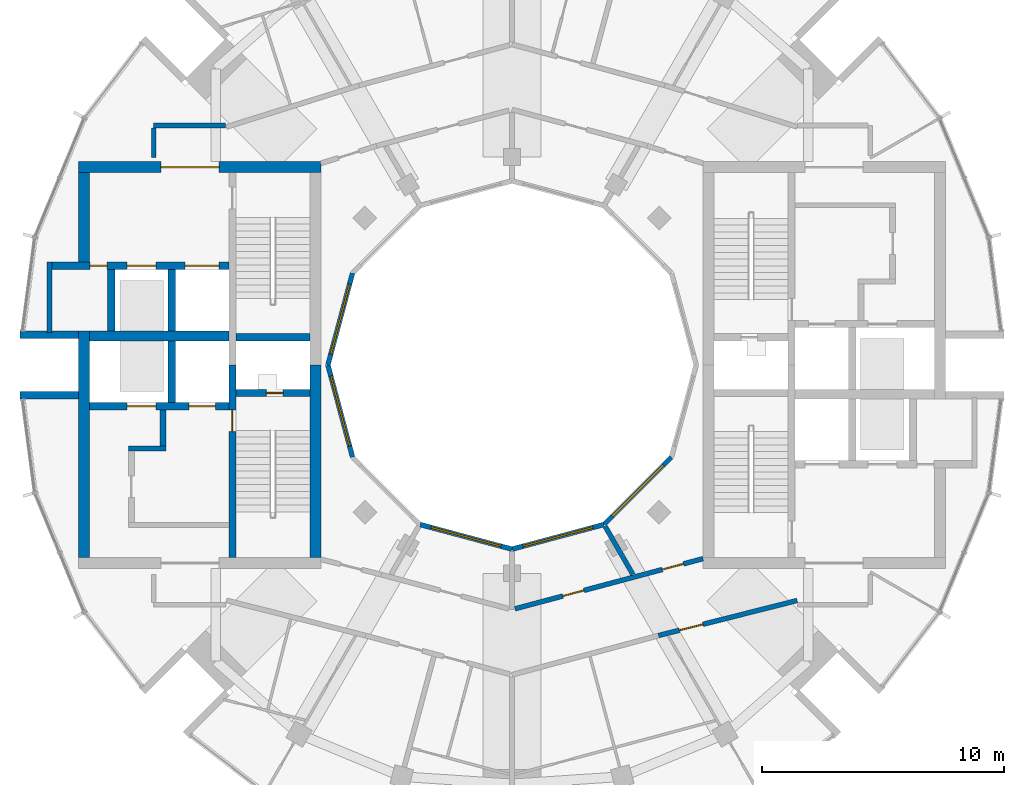
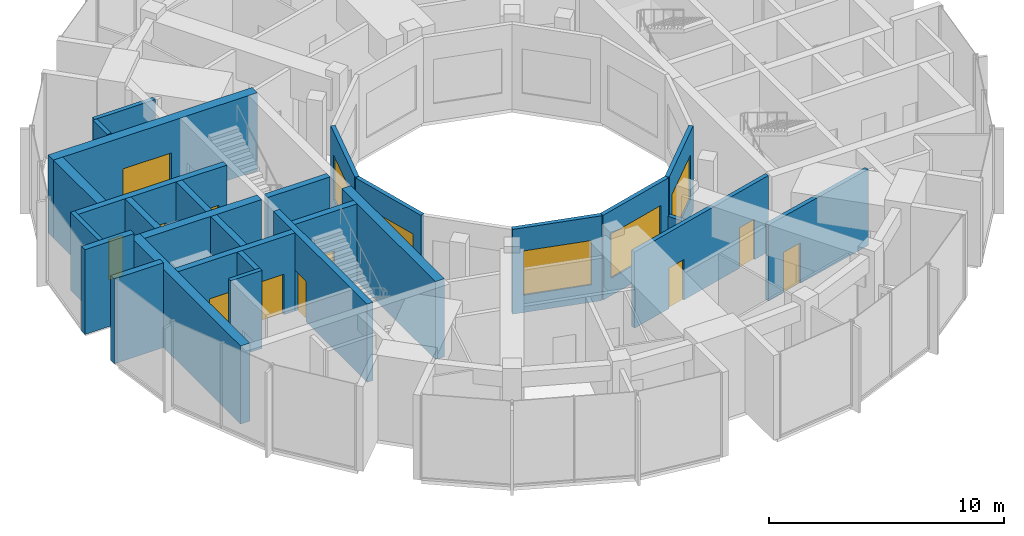
# One storey, part 8 of 13: 28 walls, 11 doors, 5 windows, 16 openings.
"""IFC4 building model written with IfcOpenShell, lengths in metres."""

from ifc_helpers import new_model, si_unit, direction, frame, frame_2d, origin, place, context, subcontext, project, spatial, rectangle, extrude, material, layer, layer_set, type_object, element, fill, save


model = new_model("IFC4")

# Units and contexts
model_context = context("Model", 3, precision=1e-05, world=origin(), true_north=direction((0.0, 1.0)))
body_context = subcontext(model_context, "Body", "Model", "MODEL_VIEW")
ifc_project = project(units=[si_unit("LENGTHUNIT", "METRE"), si_unit("AREAUNIT", "SQUARE_METRE"), si_unit("VOLUMEUNIT", "CUBIC_METRE"), si_unit("PLANEANGLEUNIT", "RADIAN"), si_unit("MASSUNIT", "GRAM", prefix="KILO")], contexts=[model_context])

# Site, building, storey
site_placement = place(None, origin())
site = spatial("IfcSite", under=ifc_project, at=site_placement, CompositionType="ELEMENT")
building_placement = place(site_placement, origin())
building = spatial("IfcBuilding", under=site, at=building_placement, Name="Torre Brocal", CompositionType="ELEMENT")
storey_placement = place(building_placement, frame((0.0, 0.0, 323.699951171875)))
storey = spatial("IfcBuildingStorey", under=building, at=storey_placement, Name="L74", CompositionType="ELEMENT", Elevation=323.699951171875)

# Walls
ifc_material_1 = material(Name="Masonry block", Category="masonry")
ifc_layer_1 = layer(ifc_material_1, 0.199951171875)
ifc_layer_set_1 = layer_set([ifc_layer_1], Name="Masonry block")
wall_type_1 = type_object("IfcWallType", Name="CORE PARTITION 200 UNDER 350 SLAB", PredefinedType="PARTITIONING", material=ifc_layer_set_1)
wall_1_placement = place(storey_placement, frame((60.89990234375, 79.25, 0.0), z_axis=(0.0, 0.0, 1.0), x_axis=(0.0, -1.0, 0.0)))
element("IfcWall", 1, at=wall_1_placement, inside=storey, type_object=wall_type_1, Name="Wall CP200-S350", PredefinedType="PARTITIONING", context=body_context, shape_type="SweptSolid", body=[
    extrude(rectangle(XDim=2.89990234375, YDim=0.199951171875, at=frame_2d((1.449951171875, 0.0))), origin(), (0.0, 0.0, 1.0), 4.050048828125),
])
ifc_material_2 = material(Name="Concrete C50", Category="concrete")
ifc_layer_2 = layer(ifc_material_2, 0.199951171875)
ifc_layer_set_2 = layer_set([ifc_layer_2], Name="Concrete C50")
wall_type_2 = type_object("IfcWallType", Name="CORE WALL 200 C50 UNDER 350 SLAB", PredefinedType="SHEAR", material=ifc_layer_set_2)
wall_2_placement = place(storey_placement, frame((65.699951171875, 71.550048828125, 0.0), z_axis=(0.0, 0.0, 1.0), x_axis=(-1.0, 0.0, 0.0)))
element("IfcWall", 2, at=wall_2_placement, inside=storey, type_object=wall_type_2, Name="Wall CW200-50-S350", PredefinedType="SHEAR", context=body_context, shape_type="SweptSolid", body=[
    extrude(rectangle(XDim=1.550048828125, YDim=0.199951171875, at=frame_2d((0.77490234375, 0.0))), origin(), (0.0, 0.0, 1.0), 4.050048828125),
])
ifc_material_3 = material(Name="Concrete C50", Category="concrete")
ifc_layer_3 = layer(ifc_material_3, 0.25)
ifc_layer_set_3 = layer_set([ifc_layer_3], Name="Concrete C50")
wall_type_3 = type_object("IfcWallType", Name="CORE WALL 250 C50 UNDER 350 SLAB", PredefinedType="SHEAR", material=ifc_layer_set_3)
wall_3_placement = place(storey_placement, frame((65.574951171875, 73.14990234375, 0.0), z_axis=(0.0, 0.0, 1.0), x_axis=(0.0, -1.0, 0.0)))
element("IfcWall", 3, at=wall_3_placement, inside=storey, type_object=wall_type_3, Name="Wall CW250-50-S350", PredefinedType="SHEAR", context=body_context, shape_type="SweptSolid", body=[
    extrude(rectangle(XDim=1.5, YDim=0.25, at=frame_2d((0.75, 0.0))), origin(), (0.0, 0.0, 1.0), 4.050048828125),
])

# Wall, opening, door
ifc_material_4 = material(Name="Concrete C50", Category="concrete")
ifc_layer_4 = layer(ifc_material_4, 0.300048828125)
ifc_layer_set_4 = layer_set([ifc_layer_4], Name="Concrete C50")
wall_type_4 = type_object("IfcWallType", Name="CORE WALL 300 C50 UNDER 350 SLAB", PredefinedType="SHEAR", material=ifc_layer_set_4)
wall_4_placement = place(storey_placement, frame((68.449951171875, 75.0, 0.0), z_axis=(0.0, 0.0, 1.0), x_axis=(0.0, -1.0, 0.0)))
wall_4 = element("IfcWall", 4, at=wall_4_placement, inside=storey, type_object=wall_type_4, Name="Wall CW300-50-S350", PredefinedType="SHEAR", context=body_context, shape_type="SweptSolid", body=[
    extrude(rectangle(XDim=7.949951171875, YDim=0.300048828125, at=frame_2d((3.97509765625, 0.0))), origin(), (0.0, 0.0, 1.0), 4.050048828125),
])
opening_1_placement = place(wall_4_placement, frame((1.85009765625, 0.0, 0.0)))
opening_1 = element("IfcOpeningElement", 5, at=opening_1_placement, cuts=wall_4, Name="Opening W-D02", PredefinedType="OPENING", context=body_context, shape_type="SweptSolid", body=[
    extrude(rectangle(XDim=0.89990234375, YDim=2.10009765625, at=frame_2d((0.449951171875, 1.050048828125))), frame((0.0, 0.159912109375, 0.0), z_axis=(0.0, -1.0, 0.0), x_axis=(1.0, 0.0, 0.0)), (0.0, 0.0, 1.0), 0.320068359375),
])
ifc_material_5 = material(Name="Steel A653", Category="steel")
door_type_1 = type_object("IfcDoorType", Name="STAIR DOOR FD120 900X2100", OperationType="SINGLE_SWING_RIGHT", PredefinedType="DOOR", material=ifc_material_5)
door_1_placement = place(opening_1_placement, origin())
door_1 = element("IfcDoor", 6, at=door_1_placement, inside=storey, type_object=door_type_1, Name="Door W-D02", OperationType="SINGLE_SWING_LEFT", OverallHeight=2.10009765625, OverallWidth=0.89990234375, PredefinedType="DOOR", context=body_context, shape_type="SweptSolid", body=[
    extrude(rectangle(XDim=0.89990234375, YDim=2.10009765625, at=frame_2d((0.449951171875, 1.050048828125))), frame((0.0, 0.02490234375, 0.0), z_axis=(0.0, -1.0, 0.0), x_axis=(1.0, 0.0, 0.0)), (0.0, 0.0, 1.0), 0.050048828125),
])
fill(opening_1, door_1)

wall_5_placement = place(storey_placement, frame((71.64990234375, 73.85009765625, 0.0), z_axis=(0.0, 0.0, 1.0), x_axis=(-1.0, 0.0, 0.0)))
wall_5 = element("IfcWall", 7, at=wall_5_placement, inside=storey, type_object=wall_type_4, Name="Wall CW300-50-S350", PredefinedType="SHEAR", context=body_context, shape_type="SweptSolid", body=[
    extrude(rectangle(XDim=3.0498046875, YDim=0.300048828125, at=frame_2d((1.52490234375, 0.0))), origin(), (0.0, 0.0, 1.0), 4.050048828125),
])
opening_2_placement = place(wall_5_placement, frame((1.10009765625, 0.0, 0.0)))
opening_2 = element("IfcOpeningElement", 8, at=opening_2_placement, cuts=wall_5, Name="Opening W-D01", PredefinedType="OPENING", context=body_context, shape_type="SweptSolid", body=[
    extrude(rectangle(XDim=0.699951171875, YDim=2.0, at=frame_2d((0.35009765625, 1.0))), frame((0.0, 0.159912109375, 0.0), z_axis=(0.0, -1.0, 0.0), x_axis=(1.0, 0.0, 0.0)), (0.0, 0.0, 1.0), 0.320068359375),
])
ifc_material_6 = material(Name="Steel A653", Category="steel")
door_type_2 = type_object("IfcDoorType", Name="RISER DOOR FD120 700X2000", OperationType="SINGLE_SWING_LEFT", PredefinedType="DOOR", material=ifc_material_6)
door_2_placement = place(opening_2_placement, frame((0.699951171875, 0.0, 0.0), z_axis=(0.0, 0.0, 1.0), x_axis=(-1.0, 0.0, 0.0)))
door_2 = element("IfcDoor", 9, at=door_2_placement, inside=storey, type_object=door_type_2, Name="Door W-D01", OperationType="SINGLE_SWING_RIGHT", OverallHeight=2.0, OverallWidth=0.699951171875, PredefinedType="DOOR", context=body_context, shape_type="SweptSolid", body=[
    extrude(rectangle(XDim=0.699951171875, YDim=2.0, at=frame_2d((0.35009765625, 1.0))), frame((0.0, 0.02490234375, 0.0), z_axis=(0.0, -1.0, 0.0), x_axis=(1.0, 0.0, 0.0)), (0.0, 0.0, 1.0), 0.050048828125),
])
fill(opening_2, door_2)

# Wall
wall_6_placement = place(storey_placement, frame((71.64990234375, 76.14990234375, 0.0), z_axis=(0.0, 0.0, 1.0), x_axis=(-1.0, 0.0, 0.0)))
element("IfcWall", 10, at=wall_6_placement, inside=storey, type_object=wall_type_4, Name="Wall CW300-50-S350", PredefinedType="SHEAR", context=body_context, shape_type="SweptSolid", body=[
    extrude(rectangle(XDim=3.0498046875, YDim=0.300048828125, at=frame_2d((1.52490234375, 0.0))), origin(), (0.0, 0.0, 1.0), 4.050048828125),
])

# Wall, openings, doors
wall_7_placement = place(storey_placement, frame((68.300048828125, 73.300048828125, 0.0), z_axis=(0.0, 0.0, 1.0), x_axis=(-1.0, 0.0, 0.0)))
wall_7 = element("IfcWall", 11, at=wall_7_placement, inside=storey, type_object=wall_type_4, Name="Wall CW300-50-S350", PredefinedType="SHEAR", context=body_context, shape_type="SweptSolid", body=[
    extrude(rectangle(XDim=5.75, YDim=0.300048828125, at=frame_2d((2.875, 0.0))), origin(), (0.0, 0.0, 1.0), 4.050048828125),
])
opening_3_placement = place(wall_7_placement, frame((0.550048828125, 0.0, 0.0)))
opening_3 = element("IfcOpeningElement", 12, at=opening_3_placement, cuts=wall_7, Name="Opening LD", PredefinedType="OPENING", context=body_context, shape_type="SweptSolid", body=[
    extrude(rectangle(XDim=1.10009765625, YDim=2.10009765625, at=frame_2d((0.550048828125, 1.050048828125))), frame((0.0, 0.159912109375, 0.0), z_axis=(0.0, -1.0, 0.0), x_axis=(1.0, 0.0, 0.0)), (0.0, 0.0, 1.0), 0.320068359375),
])
opening_4_placement = place(wall_7_placement, frame((3.0, 0.0, 0.0)))
opening_4 = element("IfcOpeningElement", 13, at=opening_4_placement, cuts=wall_7, Name="Opening LD12", PredefinedType="OPENING", context=body_context, shape_type="SweptSolid", body=[
    extrude(rectangle(XDim=1.199951171875, YDim=2.10009765625, at=frame_2d((0.60009765625, 1.050048828125))), frame((0.0, 0.159912109375, 0.0), z_axis=(0.0, -1.0, 0.0), x_axis=(1.0, 0.0, 0.0)), (0.0, 0.0, 1.0), 0.320068359375),
])
ifc_material_7 = material(Name="Stainless steel AISI 316", Category="steel")
door_type_3 = type_object("IfcDoorType", Name="LIFT LANDING DOOR 1100X2100", OperationType="DOUBLE_DOOR_SLIDING", PredefinedType="DOOR", material=ifc_material_7)
door_3_placement = place(opening_3_placement, origin())
door_3 = element("IfcDoor", 14, at=door_3_placement, inside=storey, type_object=door_type_3, Name="Door LD", OperationType="DOUBLE_DOOR_SLIDING", OverallHeight=2.10009765625, OverallWidth=1.10009765625, PredefinedType="DOOR", context=body_context, shape_type="SweptSolid", body=[
    extrude(rectangle(XDim=1.10009765625, YDim=2.10009765625, at=frame_2d((0.550048828125, 1.050048828125))), frame((0.0, 0.02490234375, 0.0), z_axis=(0.0, -1.0, 0.0), x_axis=(1.0, 0.0, 0.0)), (0.0, 0.0, 1.0), 0.050048828125),
])
fill(opening_3, door_3)
ifc_material_8 = material(Name="Stainless steel AISI 316", Category="steel")
door_type_4 = type_object("IfcDoorType", Name="LIFT LANDING DOOR 1200X2100", OperationType="DOUBLE_DOOR_SLIDING", PredefinedType="DOOR", material=ifc_material_8)
door_4_placement = place(opening_4_placement, origin())
door_4 = element("IfcDoor", 15, at=door_4_placement, inside=storey, type_object=door_type_4, Name="Door LD12", OperationType="DOUBLE_DOOR_SLIDING", OverallHeight=2.10009765625, OverallWidth=1.199951171875, PredefinedType="DOOR", context=body_context, shape_type="SweptSolid", body=[
    extrude(rectangle(XDim=1.199951171875, YDim=2.10009765625, at=frame_2d((0.60009765625, 1.050048828125))), frame((0.0, 0.02490234375, 0.0), z_axis=(0.0, -1.0, 0.0), x_axis=(1.0, 0.0, 0.0)), (0.0, 0.0, 1.0), 0.050048828125),
])
fill(opening_4, door_4)

wall_8_placement = place(storey_placement, frame((68.300048828125, 79.10009765625, 0.0), z_axis=(0.0, 0.0, 1.0), x_axis=(-1.0, 0.0, 0.0)))
wall_8 = element("IfcWall", 16, at=wall_8_placement, inside=storey, type_object=wall_type_4, Name="Wall CW300-50-S350", PredefinedType="SHEAR", context=body_context, shape_type="SweptSolid", body=[
    extrude(rectangle(XDim=7.300048828125, YDim=0.300048828125, at=frame_2d((3.64990234375, 0.0))), origin(), (0.0, 0.0, 1.0), 4.050048828125),
])
opening_5_placement = place(wall_8_placement, frame((0.39990234375, 0.0, 0.0)))
opening_5 = element("IfcOpeningElement", 17, at=opening_5_placement, cuts=wall_8, Name="Opening LD14", PredefinedType="OPENING", context=body_context, shape_type="SweptSolid", body=[
    extrude(rectangle(XDim=1.39990234375, YDim=2.10009765625, at=frame_2d((0.699951171875, 1.050048828125))), frame((0.0, 0.159912109375, 0.0), z_axis=(0.0, -1.0, 0.0), x_axis=(1.0, 0.0, 0.0)), (0.0, 0.0, 1.0), 0.320068359375),
])
opening_6_placement = place(wall_8_placement, frame((3.0, 0.0, 0.0)))
opening_6 = element("IfcOpeningElement", 18, at=opening_6_placement, cuts=wall_8, Name="Opening LD12", PredefinedType="OPENING", context=body_context, shape_type="SweptSolid", body=[
    extrude(rectangle(XDim=1.199951171875, YDim=2.10009765625, at=frame_2d((0.60009765625, 1.050048828125))), frame((0.0, 0.159912109375, 0.0), z_axis=(0.0, -1.0, 0.0), x_axis=(1.0, 0.0, 0.0)), (0.0, 0.0, 1.0), 0.320068359375),
])
opening_7_placement = place(wall_8_placement, frame((5.02490234375, 0.0, 0.0)))
opening_7 = element("IfcOpeningElement", 19, at=opening_7_placement, cuts=wall_8, Name="Opening W-D17", PredefinedType="OPENING", context=body_context, shape_type="SweptSolid", body=[
    extrude(rectangle(XDim=0.699951171875, YDim=2.10009765625, at=frame_2d((0.35009765625, 1.050048828125))), frame((0.0, 0.159912109375, 0.0), z_axis=(0.0, -1.0, 0.0), x_axis=(1.0, 0.0, 0.0)), (0.0, 0.0, 1.0), 0.320068359375),
])
door_5_placement = place(opening_6_placement, origin())
door_5 = element("IfcDoor", 20, at=door_5_placement, inside=storey, type_object=door_type_4, Name="Door LD12", OperationType="DOUBLE_DOOR_SLIDING", OverallHeight=2.10009765625, OverallWidth=1.199951171875, PredefinedType="DOOR", context=body_context, shape_type="SweptSolid", body=[
    extrude(rectangle(XDim=1.199951171875, YDim=2.10009765625, at=frame_2d((0.60009765625, 1.050048828125))), frame((0.0, 0.02490234375, 0.0), z_axis=(0.0, -1.0, 0.0), x_axis=(1.0, 0.0, 0.0)), (0.0, 0.0, 1.0), 0.050048828125),
])
fill(opening_6, door_5)
ifc_material_9 = material(Name="Stainless steel AISI 316", Category="steel")
door_type_5 = type_object("IfcDoorType", Name="LIFT LANDING DOOR 1400X2100", OperationType="DOUBLE_DOOR_SLIDING", PredefinedType="DOOR", material=ifc_material_9)
door_6_placement = place(opening_5_placement, origin())
door_6 = element("IfcDoor", 21, at=door_6_placement, inside=storey, type_object=door_type_5, Name="Door LD14", OperationType="DOUBLE_DOOR_SLIDING", OverallHeight=2.10009765625, OverallWidth=1.39990234375, PredefinedType="DOOR", context=body_context, shape_type="SweptSolid", body=[
    extrude(rectangle(XDim=1.39990234375, YDim=2.10009765625, at=frame_2d((0.699951171875, 1.050048828125))), frame((0.0, 0.02490234375, 0.0), z_axis=(0.0, -1.0, 0.0), x_axis=(1.0, 0.0, 0.0)), (0.0, 0.0, 1.0), 0.050048828125),
])
fill(opening_5, door_6)
ifc_material_10 = material(Name="Steel A653", Category="steel")
door_type_6 = type_object("IfcDoorType", Name="ROOM DOOR FD30S 700X2100", OperationType="SINGLE_SWING_LEFT", PredefinedType="DOOR", material=ifc_material_10)
door_7_placement = place(opening_7_placement, origin())
door_7 = element("IfcDoor", 22, at=door_7_placement, inside=storey, type_object=door_type_6, Name="Door W-D17", OperationType="SINGLE_SWING_LEFT", OverallHeight=2.10009765625, OverallWidth=0.699951171875, PredefinedType="DOOR", context=body_context, shape_type="SweptSolid", body=[
    extrude(rectangle(XDim=0.699951171875, YDim=2.10009765625, at=frame_2d((0.35009765625, 1.050048828125))), frame((0.0, 0.02490234375, 0.0), z_axis=(0.0, -1.0, 0.0), x_axis=(1.0, 0.0, 0.0)), (0.0, 0.0, 1.0), 0.050048828125),
])
fill(opening_7, door_7)

# Walls
for number, where, z_axis, x_axis, name in (
    (23, (65.949951171875, 76.0, 0.0), (0.0, 0.0, 1.0), (0.0, -1.0, 0.0), "Wall CW300-50-S350"),
    (24, (65.949951171875, 78.949951171875, 0.0), (0.0, 0.0, 1.0), (0.0, -1.0, 0.0), "Wall CW300-50-S350"),
    (25, (63.449951171875, 78.949951171875, 0.0), (0.0, 0.0, 1.0), (0.0, -1.0, 0.0), "Wall CW300-50-S350"),
):
    element("IfcWall", number, at=place(storey_placement, frame(where, z_axis=z_axis, x_axis=x_axis)), inside=storey, type_object=wall_type_4, Name=name, PredefinedType="SHEAR", context=body_context, shape_type="SweptSolid", body=[
        extrude(rectangle(XDim=2.550048828125, YDim=0.300048828125, at=frame_2d((1.27490234375, 0.0))), origin(), (0.0, 0.0, 1.0), 4.050048828125),
    ])
ifc_material_11 = material(Name="Concrete C50", Category="concrete")
ifc_layer_5 = layer(ifc_material_11, 0.39990234375)
ifc_layer_set_5 = layer_set([ifc_layer_5], Name="Concrete C50")
wall_type_5 = type_object("IfcWallType", Name="CORE WALL 400 C50 UNDER 350 SLAB", PredefinedType="SHEAR", material=ifc_layer_set_5)
wall_9_placement = place(storey_placement, frame((68.300048828125, 76.199951171875, 0.0), z_axis=(0.0, 0.0, 1.0), x_axis=(-1.0, 0.0, 0.0)))
element("IfcWall", 26, at=wall_9_placement, inside=storey, type_object=wall_type_5, Name="Wall CW400-50-S350", PredefinedType="SHEAR", context=body_context, shape_type="SweptSolid", body=[
    extrude(rectangle(XDim=5.75, YDim=0.39990234375, at=frame_2d((2.875, 0.0))), origin(), (0.0, 0.0, 1.0), 4.050048828125),
])

# Wall, opening, door
ifc_material_12 = material(Name="Concrete C50", Category="concrete")
ifc_layer_6 = layer(ifc_material_12, 0.449951171875)
ifc_layer_set_6 = layer_set([ifc_layer_6], Name="Concrete C50")
wall_type_6 = type_object("IfcWallType", Name="CORE WALL 450 C50 UNDER 350 SLAB", PredefinedType="SHEAR", material=ifc_layer_set_6)
wall_10_placement = place(storey_placement, frame((72.10009765625, 83.175048828125, 0.0), z_axis=(0.0, 0.0, 1.0), x_axis=(-1.0, 0.0, 0.0)))
wall_10 = element("IfcWall", 27, at=wall_10_placement, inside=storey, type_object=wall_type_6, Name="Wall CW450-50-S350", PredefinedType="SHEAR", context=body_context, shape_type="SweptSolid", body=[
    extrude(rectangle(XDim=10.0, YDim=0.449951171875, at=frame_2d((5.0, 0.0))), origin(), (0.0, 0.0, 1.0), 4.050048828125),
])
opening_8_placement = place(wall_10_placement, frame((4.199951171875, 0.0, 0.0)))
opening_8 = element("IfcOpeningElement", 28, at=opening_8_placement, cuts=wall_10, Name="Opening W-D24", PredefinedType="OPENING", context=body_context, shape_type="SweptSolid", body=[
    extrude(rectangle(XDim=2.39990234375, YDim=2.39990234375, at=frame_2d((1.199951171875, 1.199951171875))), frame((0.0, 0.23486328125, 0.0), z_axis=(0.0, -1.0, 0.0), x_axis=(1.0, 0.0, 0.0)), (0.0, 0.0, 1.0), 0.469970703125),
])
ifc_material_13 = material(Name="Steel A653", Category="steel")
door_type_7 = type_object("IfcDoorType", Name="DOUBLE FIRE DOOR FD90 2400X2400", OperationType="DOUBLE_DOOR_SINGLE_SWING", PredefinedType="DOOR", material=ifc_material_13)
door_8_placement = place(opening_8_placement, origin())
door_8 = element("IfcDoor", 29, at=door_8_placement, inside=storey, type_object=door_type_7, Name="Door W-D24", OperationType="DOUBLE_DOOR_SINGLE_SWING", OverallHeight=2.39990234375, OverallWidth=2.39990234375, PredefinedType="DOOR", context=body_context, shape_type="SweptSolid", body=[
    extrude(rectangle(XDim=2.39990234375, YDim=2.39990234375, at=frame_2d((1.199951171875, 1.199951171875))), frame((0.0, 0.02490234375, 0.0), z_axis=(0.0, -1.0, 0.0), x_axis=(1.0, 0.0, 0.0)), (0.0, 0.0, 1.0), 0.050048828125),
])
fill(opening_8, door_8)

# Walls
wall_11_placement = place(storey_placement, frame((71.875, 75.0, 0.0), z_axis=(0.0, 0.0, 1.0), x_axis=(0.0, -1.0, 0.0)))
element("IfcWall", 30, at=wall_11_placement, inside=storey, type_object=wall_type_6, Name="Wall CW450-50-S350", PredefinedType="SHEAR", context=body_context, shape_type="SweptSolid", body=[
    extrude(rectangle(XDim=7.949951171875, YDim=0.449951171875, at=frame_2d((3.97509765625, 0.0))), origin(), (0.0, 0.0, 1.0), 4.050048828125),
])
wall_12_placement = place(storey_placement, frame((62.324951171875, 76.39990234375, 0.0), z_axis=(0.0, 0.0, 1.0), x_axis=(0.0, -1.0, 0.0)))
element("IfcWall", 31, at=wall_12_placement, inside=storey, type_object=wall_type_6, Name="Wall CW450-50-S350", PredefinedType="SHEAR", context=body_context, shape_type="SweptSolid", body=[
    extrude(rectangle(XDim=9.349853515625, YDim=0.449951171875, at=frame_2d((4.6748046875, 0.0))), origin(), (0.0, 0.0, 1.0), 4.050048828125),
])
wall_13_placement = place(storey_placement, frame((62.324951171875, 82.949951171875, 0.0), z_axis=(0.0, 0.0, 1.0), x_axis=(0.0, -1.0, 0.0)))
element("IfcWall", 32, at=wall_13_placement, inside=storey, type_object=wall_type_6, Name="Wall CW450-50-S350", PredefinedType="SHEAR", context=body_context, shape_type="SweptSolid", body=[
    extrude(rectangle(XDim=3.699951171875, YDim=0.449951171875, at=frame_2d((1.85009765625, 0.0))), origin(), (0.0, 0.0, 1.0), 4.050048828125),
])
ifc_material_14 = material(Name="Concrete C50", Category="concrete")
ifc_layer_7 = layer(ifc_material_14, 0.300048828125)
ifc_layer_set_7 = layer_set([ifc_layer_7], Name="Concrete C50")
wall_type_7 = type_object("IfcWallType", Name="NOTCH RETURN WALL 300 C50", PredefinedType="NOTDEFINED", material=ifc_layer_set_7)
for number, where, z_axis, x_axis, name in (
    (33, (62.10009765625, 76.25, 0.0), (0.0, 0.0, 1.0), (-1.0, 0.0, 0.0), "NOTCH RETURN WALL"),
    (34, (62.10009765625, 73.75, 0.0), (0.0, 0.0, 1.0), (-1.0, 0.0, 0.0), "NOTCH RETURN WALL"),
):
    element("IfcWall", number, at=place(storey_placement, frame(where, z_axis=z_axis, x_axis=x_axis)), inside=storey, type_object=wall_type_7, Name=name, PredefinedType="NOTDEFINED", context=body_context, shape_type="SweptSolid", body=[
        extrude(rectangle(XDim=2.415771484375, YDim=0.300048828125, at=frame_2d((1.2080078125, 0.0))), origin(), (0.0, 0.0, 1.0), 4.400146484375),
    ])
ifc_material_15 = material(Name="Gypsum board", Category="Gypsum")
ifc_layer_8 = layer(ifc_material_15, 0.199951171875)
ifc_layer_set_8 = layer_set([ifc_layer_8], Name="Gypsum board")
wall_type_8 = type_object("IfcWallType", Name="PARTITION 200 EI60", PredefinedType="PARTITIONING", material=ifc_layer_set_8)
wall_14_placement = place(storey_placement, frame((65.199951171875, 83.576904296875, 0.0), z_axis=(0.0, 0.0, 1.0), x_axis=(0.0, 1.0, 0.0)))
element("IfcWall", 35, at=wall_14_placement, inside=storey, type_object=wall_type_8, Name="GUESTROOM CORRIDOR WALL", PredefinedType="PARTITIONING", context=body_context, shape_type="SweptSolid", body=[
    extrude(rectangle(XDim=1.22314453125, YDim=0.199951171875, at=frame_2d((0.611572265625, 0.0))), origin(), (0.0, 0.0, 1.0), 3.949951171875),
])
wall_15_placement = place(storey_placement, frame((65.199951171875, 84.89990234375, 0.0), z_axis=(0.0, 0.0, 1.0), x_axis=(1.0, 0.0, 0.0)))
element("IfcWall", 36, at=wall_15_placement, inside=storey, type_object=wall_type_8, Name="GUESTROOM CORRIDOR WALL", PredefinedType="PARTITIONING", context=body_context, shape_type="SweptSolid", body=[
    extrude(rectangle(XDim=2.969970703125, YDim=0.199951171875, at=frame_2d((1.48486328125, 0.0))), origin(), (0.0, 0.0, 1.0), 3.949951171875),
])

# Wall, openings, doors
wall_16_placement = place(storey_placement, frame((80.125, 64.931640625, 0.0), z_axis=(0.0, 0.0, 1.0), x_axis=(0.966236955806, 0.257655089674, 0.0)))
wall_16 = element("IfcWall", 37, at=wall_16_placement, inside=storey, type_object=wall_type_8, Name="CORRIDOR WALL", PredefinedType="PARTITIONING", context=body_context, shape_type="SweptSolid", body=[
    extrude(rectangle(XDim=8.0390625, YDim=0.199951171875, at=frame_2d((4.01953125, 0.0))), origin(), (0.0, 0.0, 1.0), 3.949951171875),
])
opening_9_placement = place(wall_16_placement, frame((6.298095703125, 0.0, 0.0)))
opening_9 = element("IfcOpeningElement", 38, at=opening_9_placement, cuts=wall_16, Name="Opening N05-D31", PredefinedType="OPENING", context=body_context, shape_type="SweptSolid", body=[
    extrude(rectangle(XDim=0.89990234375, YDim=2.10009765625, at=frame_2d((0.449951171875, 1.050048828125))), frame((0.0, 0.10986328125, 0.0), z_axis=(0.0, -1.0, 0.0), x_axis=(1.0, 0.0, 0.0)), (0.0, 0.0, 1.0), 0.219970703125),
])
opening_10_placement = place(wall_16_placement, frame((2.044921875, 0.0, 0.0)))
opening_10 = element("IfcOpeningElement", 39, at=opening_10_placement, cuts=wall_16, Name="Opening N05-D32", PredefinedType="OPENING", context=body_context, shape_type="SweptSolid", body=[
    extrude(rectangle(XDim=0.89990234375, YDim=2.10009765625, at=frame_2d((0.449951171875, 1.050048828125))), frame((0.0, 0.10986328125, 0.0), z_axis=(0.0, -1.0, 0.0), x_axis=(1.0, 0.0, 0.0)), (0.0, 0.0, 1.0), 0.219970703125),
])
ifc_material_16 = material(Name="Timber", Category="wood")
door_type_8 = type_object("IfcDoorType", Name="ROOM DOOR 900X2100", OperationType="SINGLE_SWING_LEFT", PredefinedType="DOOR", material=ifc_material_16)
door_9_placement = place(opening_9_placement, origin())
door_9 = element("IfcDoor", 40, at=door_9_placement, inside=storey, type_object=door_type_8, Name="N05-D31", OperationType="SINGLE_SWING_RIGHT", OverallHeight=2.10009765625, OverallWidth=0.89990234375, PredefinedType="DOOR", context=body_context, shape_type="SweptSolid", body=[
    extrude(rectangle(XDim=0.89990234375, YDim=2.10009765625, at=frame_2d((0.449951171875, 1.050048828125))), frame((0.0, 0.02490234375, 0.0), z_axis=(0.0, -1.0, 0.0), x_axis=(1.0, 0.0, 0.0)), (0.0, 0.0, 1.0), 0.050048828125),
])
fill(opening_9, door_9)
door_10_placement = place(opening_10_placement, origin())
door_10 = element("IfcDoor", 41, at=door_10_placement, inside=storey, type_object=door_type_8, Name="N05-D32", OperationType="SINGLE_SWING_RIGHT", OverallHeight=2.10009765625, OverallWidth=0.89990234375, PredefinedType="DOOR", context=body_context, shape_type="SweptSolid", body=[
    extrude(rectangle(XDim=0.89990234375, YDim=2.10009765625, at=frame_2d((0.449951171875, 1.050048828125))), frame((0.0, 0.02490234375, 0.0), z_axis=(0.0, -1.0, 0.0), x_axis=(1.0, 0.0, 0.0)), (0.0, 0.0, 1.0), 0.050048828125),
])
fill(opening_10, door_10)

# Wall, opening, door
wall_17_placement = place(storey_placement, frame((86.052978515625, 63.826171875, 0.0), z_axis=(0.0, 0.0, 1.0), x_axis=(0.969480070232, 0.245170131586, 0.0)))
wall_17 = element("IfcWall", 42, at=wall_17_placement, inside=storey, type_object=wall_type_8, Name="FLAT ENTRANCE WALL", PredefinedType="PARTITIONING", context=body_context, shape_type="SweptSolid", body=[
    extrude(rectangle(XDim=5.906982421875, YDim=0.199951171875, at=frame_2d((2.95361328125, 0.0))), origin(), (0.0, 0.0, 1.0), 3.949951171875),
])
opening_11_placement = place(wall_17_placement, frame((0.889404296875, 0.0, 0.0)))
opening_11 = element("IfcOpeningElement", 43, at=opening_11_placement, cuts=wall_17, Name="Opening N05-D18", PredefinedType="OPENING", context=body_context, shape_type="SweptSolid", body=[
    extrude(rectangle(XDim=1.0, YDim=2.10009765625, at=frame_2d((0.5, 1.050048828125))), frame((0.0, 0.10986328125, 0.0), z_axis=(0.0, -1.0, 0.0), x_axis=(1.0, 0.0, 0.0)), (0.0, 0.0, 1.0), 0.219970703125),
])
ifc_material_17 = material(Name="Timber", Category="wood")
door_type_9 = type_object("IfcDoorType", Name="FLAT ENTRY DOOR FD30S 1000X2100", OperationType="SINGLE_SWING_RIGHT", PredefinedType="DOOR", material=ifc_material_17)
door_11_placement = place(opening_11_placement, frame((1.0, 0.0, 0.0), z_axis=(0.0, 0.0, 1.0), x_axis=(-1.0, 0.0, 0.0)))
door_11 = element("IfcDoor", 44, at=door_11_placement, inside=storey, type_object=door_type_9, Name="N05-D18", OperationType="SINGLE_SWING_RIGHT", OverallHeight=2.10009765625, OverallWidth=1.0, PredefinedType="DOOR", context=body_context, shape_type="SweptSolid", body=[
    extrude(rectangle(XDim=1.0, YDim=2.10009765625, at=frame_2d((0.5, 1.050048828125))), frame((0.0, 0.02490234375, 0.0), z_axis=(0.0, -1.0, 0.0), x_axis=(1.0, 0.0, 0.0)), (0.0, 0.0, 1.0), 0.050048828125),
])
fill(opening_11, door_11)

# Wall
ifc_material_18 = material(Name="Gypsum board", Category="Gypsum")
ifc_layer_9 = layer(ifc_material_18, 0.199951171875)
ifc_layer_set_9 = layer_set([ifc_layer_9], Name="Gypsum board")
wall_type_9 = type_object("IfcWallType", Name="PARTITION 200 EI60 UNDER BEAM 1950", PredefinedType="PARTITIONING", material=ifc_layer_set_9)
wall_18_placement = place(storey_placement, frame((83.849609375, 68.333251953125, 0.0), z_axis=(0.0, 0.0, 1.0), x_axis=(0.500080019051, -0.865979199835, 0.0)))
element("IfcWall", 45, at=wall_18_placement, inside=storey, type_object=wall_type_9, Name="PARTY PARTITION", PredefinedType="PARTITIONING", context=body_context, shape_type="SweptSolid", body=[
    extrude(rectangle(XDim=2.285400390625, YDim=0.199951171875, at=frame_2d((1.142578125, 0.0))), origin(), (0.0, 0.0, 1.0), 2.449951171875),
])

# Wall, opening, window
ifc_material_19 = material(Name="Concrete C40", Category="concrete")
ifc_layer_10 = layer(ifc_material_19, 0.199951171875)
ifc_layer_set_10 = layer_set([ifc_layer_10], Name="Concrete C40")
wall_type_10 = type_object("IfcWallType", Name="WELL FACADE WALL 200", PredefinedType="NOTDEFINED", material=ifc_layer_set_10)
wall_19_placement = place(storey_placement, frame((73.4150390625, 78.8017578125, 0.0), z_axis=(0.0, 0.0, 1.0), x_axis=(-0.258789828301, -0.965933654434, 0.0)))
wall_19 = element("IfcWall", 46, at=wall_19_placement, inside=storey, type_object=wall_type_10, Name="WELL FACADE WALL", PredefinedType="NOTDEFINED", context=body_context, shape_type="SweptSolid", body=[
    extrude(rectangle(XDim=3.935791015625, YDim=0.199951171875, at=frame_2d((1.9677734375, 0.0))), origin(), (0.0, 0.0, 1.0), 4.400146484375),
])
opening_12_placement = place(wall_19_placement, frame((0.468017578125, 0.0, 0.89990234375)))
opening_12 = element("IfcOpeningElement", 47, at=opening_12_placement, cuts=wall_19, Name="Opening W1", PredefinedType="OPENING", context=body_context, shape_type="SweptSolid", body=[
    extrude(rectangle(XDim=3.0, YDim=2.300048828125, at=frame_2d((1.5, 1.14990234375))), frame((0.0, 0.10986328125, 0.0), z_axis=(0.0, -1.0, 0.0), x_axis=(1.0, 0.0, 0.0)), (0.0, 0.0, 1.0), 0.219970703125),
])
ifc_material_20 = material(Name="Aluminium and glass", Category="aluminium")
window_type = type_object("IfcWindowType", Name="WELL WINDOW 3000X2300", PartitioningType="SINGLE_PANEL", PredefinedType="WINDOW", material=ifc_material_20)
window_1_placement = place(opening_12_placement, origin())
window_1 = element("IfcWindow", 48, at=window_1_placement, inside=storey, type_object=window_type, Name="WELL WINDOW 3000X2300", OverallHeight=2.300048828125, OverallWidth=3.0, PartitioningType="SINGLE_PANEL", PredefinedType="WINDOW", context=body_context, shape_type="SweptSolid", body=[
    extrude(rectangle(XDim=3.0, YDim=2.300048828125, at=frame_2d((1.5, 1.14990234375))), frame((0.0, 0.030029296875, 0.0), z_axis=(0.0, -1.0, 0.0), x_axis=(1.0, 0.0, 0.0)), (0.0, 0.0, 1.0), 0.06005859375),
])
fill(opening_12, window_1)

wall_20_placement = place(storey_placement, frame((72.396484375, 75.0, 0.0), z_axis=(0.0, 0.0, 1.0), x_axis=(0.258789828301, -0.965933654434, 0.0)))
wall_20 = element("IfcWall", 49, at=wall_20_placement, inside=storey, type_object=wall_type_10, Name="WELL FACADE WALL", PredefinedType="NOTDEFINED", context=body_context, shape_type="SweptSolid", body=[
    extrude(rectangle(XDim=3.935791015625, YDim=0.199951171875, at=frame_2d((1.9677734375, 0.0))), origin(), (0.0, 0.0, 1.0), 4.400146484375),
])
opening_13_placement = place(wall_20_placement, frame((0.468017578125, 0.0, 0.89990234375)))
opening_13 = element("IfcOpeningElement", 50, at=opening_13_placement, cuts=wall_20, Name="Opening W1", PredefinedType="OPENING", context=body_context, shape_type="SweptSolid", body=[
    extrude(rectangle(XDim=3.0, YDim=2.300048828125, at=frame_2d((1.5, 1.14990234375))), frame((0.0, 0.10986328125, 0.0), z_axis=(0.0, -1.0, 0.0), x_axis=(1.0, 0.0, 0.0)), (0.0, 0.0, 1.0), 0.219970703125),
])
window_2_placement = place(opening_13_placement, origin())
window_2 = element("IfcWindow", 51, at=window_2_placement, inside=storey, type_object=window_type, Name="WELL WINDOW 3000X2300", OverallHeight=2.300048828125, OverallWidth=3.0, PartitioningType="SINGLE_PANEL", PredefinedType="WINDOW", context=body_context, shape_type="SweptSolid", body=[
    extrude(rectangle(XDim=3.0, YDim=2.300048828125, at=frame_2d((1.5, 1.14990234375))), frame((0.0, 0.030029296875, 0.0), z_axis=(0.0, -1.0, 0.0), x_axis=(1.0, 0.0, 0.0)), (0.0, 0.0, 1.0), 0.06005859375),
])
fill(opening_13, window_2)

wall_21_placement = place(storey_placement, frame((76.1982421875, 68.4150390625, 0.0), z_axis=(0.0, 0.0, 1.0), x_axis=(0.965933654434, -0.258789828301, 0.0)))
wall_21 = element("IfcWall", 52, at=wall_21_placement, inside=storey, type_object=wall_type_10, Name="WELL FACADE WALL", PredefinedType="NOTDEFINED", context=body_context, shape_type="SweptSolid", body=[
    extrude(rectangle(XDim=3.935791015625, YDim=0.199951171875, at=frame_2d((1.9677734375, 0.0))), origin(), (0.0, 0.0, 1.0), 4.400146484375),
])
opening_14_placement = place(wall_21_placement, frame((0.468017578125, 0.0, 0.89990234375)))
opening_14 = element("IfcOpeningElement", 53, at=opening_14_placement, cuts=wall_21, Name="Opening W1", PredefinedType="OPENING", context=body_context, shape_type="SweptSolid", body=[
    extrude(rectangle(XDim=3.0, YDim=2.300048828125, at=frame_2d((1.5, 1.14990234375))), frame((0.0, 0.10986328125, 0.0), z_axis=(0.0, -1.0, 0.0), x_axis=(1.0, 0.0, 0.0)), (0.0, 0.0, 1.0), 0.219970703125),
])
window_3_placement = place(opening_14_placement, origin())
window_3 = element("IfcWindow", 54, at=window_3_placement, inside=storey, type_object=window_type, Name="WELL WINDOW 3000X2300", OverallHeight=2.300048828125, OverallWidth=3.0, PartitioningType="SINGLE_PANEL", PredefinedType="WINDOW", context=body_context, shape_type="SweptSolid", body=[
    extrude(rectangle(XDim=3.0, YDim=2.300048828125, at=frame_2d((1.5, 1.14990234375))), frame((0.0, 0.030029296875, 0.0), z_axis=(0.0, -1.0, 0.0), x_axis=(1.0, 0.0, 0.0)), (0.0, 0.0, 1.0), 0.06005859375),
])
fill(opening_14, window_3)

wall_22_placement = place(storey_placement, frame((80.0, 67.396484375, 0.0), z_axis=(0.0, 0.0, 1.0), x_axis=(0.965933654434, 0.258789828301, 0.0)))
wall_22 = element("IfcWall", 55, at=wall_22_placement, inside=storey, type_object=wall_type_10, Name="WELL FACADE WALL", PredefinedType="NOTDEFINED", context=body_context, shape_type="SweptSolid", body=[
    extrude(rectangle(XDim=3.935791015625, YDim=0.199951171875, at=frame_2d((1.9677734375, 0.0))), origin(), (0.0, 0.0, 1.0), 4.400146484375),
])
opening_15_placement = place(wall_22_placement, frame((0.468017578125, 0.0, 0.89990234375)))
opening_15 = element("IfcOpeningElement", 56, at=opening_15_placement, cuts=wall_22, Name="Opening W1", PredefinedType="OPENING", context=body_context, shape_type="SweptSolid", body=[
    extrude(rectangle(XDim=3.0, YDim=2.300048828125, at=frame_2d((1.5, 1.14990234375))), frame((0.0, 0.10986328125, 0.0), z_axis=(0.0, -1.0, 0.0), x_axis=(1.0, 0.0, 0.0)), (0.0, 0.0, 1.0), 0.219970703125),
])
window_4_placement = place(opening_15_placement, origin())
window_4 = element("IfcWindow", 57, at=window_4_placement, inside=storey, type_object=window_type, Name="WELL WINDOW 3000X2300", OverallHeight=2.300048828125, OverallWidth=3.0, PartitioningType="SINGLE_PANEL", PredefinedType="WINDOW", context=body_context, shape_type="SweptSolid", body=[
    extrude(rectangle(XDim=3.0, YDim=2.300048828125, at=frame_2d((1.5, 1.14990234375))), frame((0.0, 0.030029296875, 0.0), z_axis=(0.0, -1.0, 0.0), x_axis=(1.0, 0.0, 0.0)), (0.0, 0.0, 1.0), 0.06005859375),
])
fill(opening_15, window_4)

wall_23_placement = place(storey_placement, frame((83.8017578125, 68.4150390625, 0.0), z_axis=(0.0, 0.0, 1.0), x_axis=(0.707106781187, 0.707106781187, 0.0)))
wall_23 = element("IfcWall", 58, at=wall_23_placement, inside=storey, type_object=wall_type_10, Name="WELL FACADE WALL", PredefinedType="NOTDEFINED", context=body_context, shape_type="SweptSolid", body=[
    extrude(rectangle(XDim=3.93603515625, YDim=0.199951171875, at=frame_2d((1.968017578125, 0.0))), origin(), (0.0, 0.0, 1.0), 4.400146484375),
])
opening_16_placement = place(wall_23_placement, frame((0.468017578125, 0.0, 0.89990234375)))
opening_16 = element("IfcOpeningElement", 59, at=opening_16_placement, cuts=wall_23, Name="Opening W1", PredefinedType="OPENING", context=body_context, shape_type="SweptSolid", body=[
    extrude(rectangle(XDim=3.0, YDim=2.300048828125, at=frame_2d((1.5, 1.14990234375))), frame((0.0, 0.10986328125, 0.0), z_axis=(0.0, -1.0, 0.0), x_axis=(1.0, 0.0, 0.0)), (0.0, 0.0, 1.0), 0.219970703125),
])
window_5_placement = place(opening_16_placement, origin())
window_5 = element("IfcWindow", 60, at=window_5_placement, inside=storey, type_object=window_type, Name="WELL WINDOW 3000X2300", OverallHeight=2.300048828125, OverallWidth=3.0, PartitioningType="SINGLE_PANEL", PredefinedType="WINDOW", context=body_context, shape_type="SweptSolid", body=[
    extrude(rectangle(XDim=3.0, YDim=2.300048828125, at=frame_2d((1.5, 1.14990234375))), frame((0.0, 0.030029296875, 0.0), z_axis=(0.0, -1.0, 0.0), x_axis=(1.0, 0.0, 0.0)), (0.0, 0.0, 1.0), 0.06005859375),
])
fill(opening_16, window_5)

save(model, "model.ifc")
